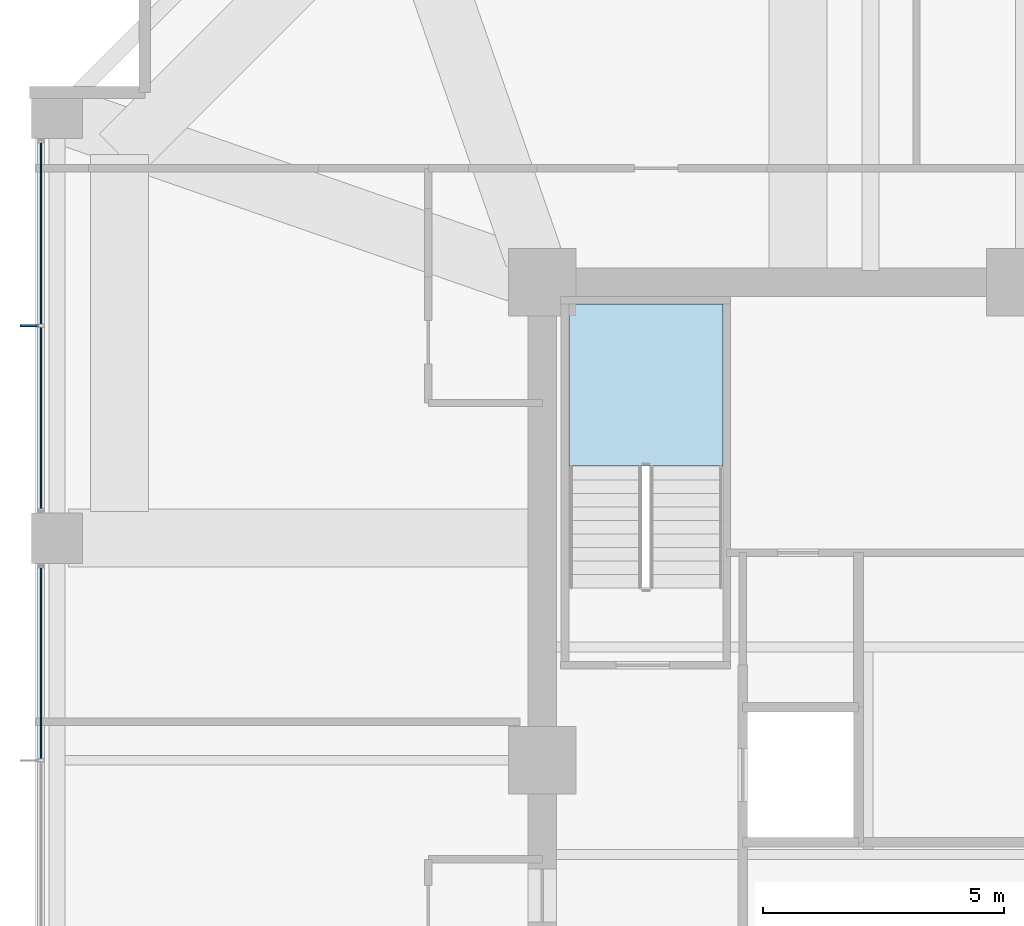
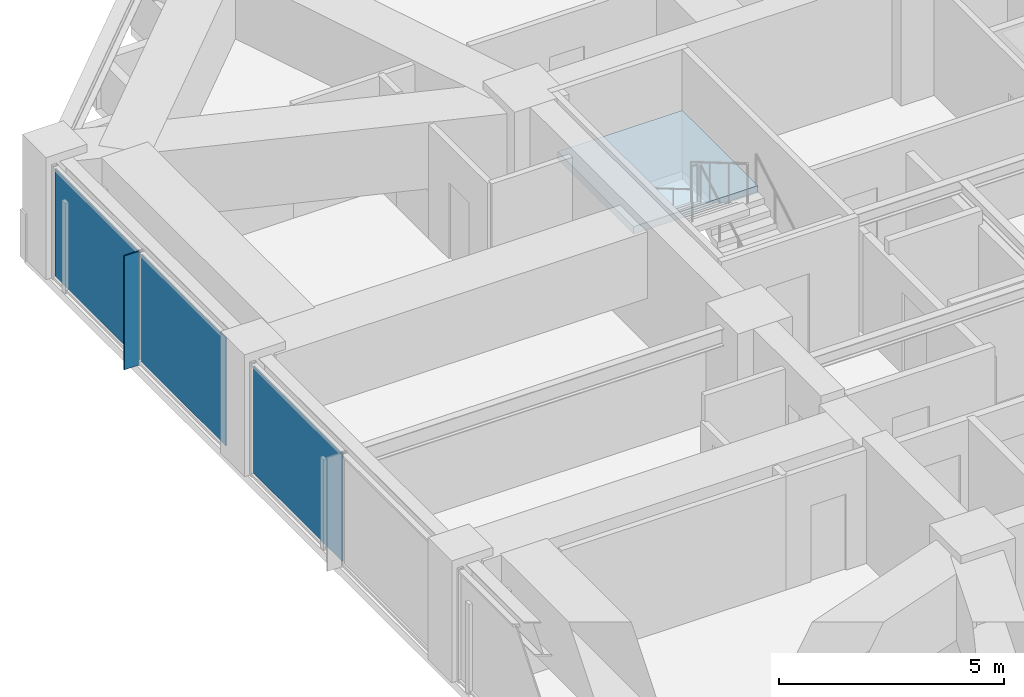
# One storey, part 26 of 34: 4 plates, 1 slab, 3 elements without a shape of their own.
"""IFC4 building model written with IfcOpenShell, lengths in metres."""

from ifc_helpers import new_model, si_unit, direction, frame, origin, origin_2d, place, context, subcontext, project, spatial, polyline, rectangle, outline, extrude, material, layer, layer_set, type_object, element, aggregate, save


model = new_model("IFC4")

# Units and contexts
model_context = context("Model", 3, precision=1e-05, world=origin(), true_north=direction((0.0, 1.0)))
body_context = subcontext(model_context, "Body", "Model", "MODEL_VIEW")
ifc_project = project(units=[si_unit("LENGTHUNIT", "METRE"), si_unit("AREAUNIT", "SQUARE_METRE"), si_unit("VOLUMEUNIT", "CUBIC_METRE"), si_unit("PLANEANGLEUNIT", "RADIAN"), si_unit("MASSUNIT", "GRAM", prefix="KILO")], contexts=[model_context])

# Site, building, storey
site_placement = place(None, origin())
site = spatial("IfcSite", under=ifc_project, at=site_placement, CompositionType="ELEMENT")
building_placement = place(site_placement, origin())
building = spatial("IfcBuilding", under=site, at=building_placement, Name="Kolvaren Belvedere", CompositionType="ELEMENT")
storey_placement = place(building_placement, frame((0.0, 0.0, 105.199951171875)))
storey = spatial("IfcBuildingStorey", under=building, at=storey_placement, Name="L30", CompositionType="ELEMENT", Elevation=105.199951171875)

# Curtain wall, plate
ifc_material_1 = material(Name="Anodised pale-metal aluminium AA 6063-T6", Category="aluminium")
curtain_wall_type = type_object("IfcCurtainWallType", Name="CW-Z2-MID", PredefinedType="NOTDEFINED", material=ifc_material_1)
curtain_wall_1_placement = place(storey_placement, origin())
curtain_wall_1 = element("IfcCurtainWall", 1, at=curtain_wall_1_placement, inside=storey, type_object=curtain_wall_type, Name="L30 Unitised Curtain Wall FCW-L30-W-B2", PredefinedType="NOTDEFINED")
ifc_material_2 = material(Name="Low-iron triple insulated glass", Category="glass")
ifc_layer_1 = layer(ifc_material_2, 0.028076171875)
ifc_layer_set_1 = layer_set([ifc_layer_1], Name="Low-iron triple insulated glass")
plate_type_1 = type_object("IfcPlateType", Name="CW-PNL-VIS28", PredefinedType="CURTAIN_PANEL", material=ifc_layer_set_1)
plate_1_placement = place(storey_placement, frame((-20.280029296875, 2.01123046875, 0.080078125), z_axis=(0.0, 0.0, 1.0), x_axis=(0.0, 1.0, 0.0)))
plate_1 = element("IfcPlate", 2, at=plate_1_placement, type_object=plate_type_1, Name="FCW-L30-W-B2 Vision Glazing Panel 2", PredefinedType="CURTAIN_PANEL", context=body_context, shape_type="SweptSolid", body=[
    extrude(rectangle(XDim=3.9423828125, YDim=0.028076171875, at=origin_2d()), origin(), (0.0, 0.0, 1.0), 2.919921875),
])
aggregate(curtain_wall_1, [plate_1])

# Curtain wall, plates
curtain_wall_2_placement = place(storey_placement, origin())
curtain_wall_2 = element("IfcCurtainWall", 3, at=curtain_wall_2_placement, inside=storey, type_object=curtain_wall_type, Name="L30 Unitised Curtain Wall FCW-L30-W-B3", PredefinedType="NOTDEFINED")
plate_2_placement = place(storey_placement, frame((-20.280029296875, 7.0888671875, 0.080078125), z_axis=(0.0, 0.0, 1.0), x_axis=(0.0, 1.0, 0.0)))
plate_2 = element("IfcPlate", 4, at=plate_2_placement, type_object=plate_type_1, Name="FCW-L30-W-B3 Vision Glazing Panel 1", PredefinedType="CURTAIN_PANEL", context=body_context, shape_type="SweptSolid", body=[
    extrude(rectangle(XDim=3.742431640625, YDim=0.028076171875, at=origin_2d()), origin(), (0.0, 0.0, 1.0), 2.919921875),
])
plate_3_placement = place(storey_placement, frame((-20.280029296875, 10.9111328125, 0.080078125), z_axis=(0.0, 0.0, 1.0), x_axis=(0.0, 1.0, 0.0)))
plate_3 = element("IfcPlate", 5, at=plate_3_placement, type_object=plate_type_1, Name="FCW-L30-W-B3 Vision Glazing Panel 2", PredefinedType="CURTAIN_PANEL", context=body_context, shape_type="SweptSolid", body=[
    extrude(rectangle(XDim=3.742431640625, YDim=0.028076171875, at=origin_2d()), origin(), (0.0, 0.0, 1.0), 2.919921875),
])
aggregate(curtain_wall_2, [plate_2, plate_3])

# Plate
ifc_material_3 = material(Name="Anodised pale-metal aluminium AA 6063-T6", Category="aluminium")
ifc_layer_2 = layer(ifc_material_3, 0.033935546875)
ifc_layer_set_2 = layer_set([ifc_layer_2], Name="Anodised pale-metal aluminium AA 6063-T6")
plate_type_2 = type_object("IfcPlateType", Name="FIN-VERT-380", PredefinedType="USERDEFINED", material=ifc_layer_set_2)
plate_4_placement = place(storey_placement, frame((-20.52490234375, 9.0, 0.0), z_axis=(0.0, 0.0, 1.0), x_axis=(1.0, 0.0, 0.0)))
element("IfcPlate", 6, at=plate_4_placement, inside=storey, type_object=plate_type_2, Name="L30 Pale-Metal Vertical Shading Fin FCW-L30-W-B3-1", ObjectType="VERTICAL FIN", PredefinedType="USERDEFINED", context=body_context, shape_type="SweptSolid", body=[
    extrude(rectangle(XDim=0.3798828125, YDim=0.033935546875, at=origin_2d()), origin(), (0.0, 0.0, 1.0), 3.080078125),
])

# Stair, slab
ifc_material_4 = material(Name="Concrete C50/60", Category="concrete")
stair_type = type_object("IfcStairType", Name="ST-CORE-1520", PredefinedType="HALF_TURN_STAIR", material=ifc_material_4)
stair_placement = place(storey_placement, origin())
stair = element("IfcStair", 7, at=stair_placement, inside=storey, type_object=stair_type, Name="L30 Protected Exit Stair ST-1", PredefinedType="HALF_TURN_STAIR")
ifc_material_5 = material(Name="Concrete C50/60", Category="concrete")
ifc_layer_3 = layer(ifc_material_5, 0.260009765625)
ifc_layer_set_3 = layer_set([ifc_layer_3], Name="Concrete C50/60")
slab_type = type_object("IfcSlabType", Name="SL-LAND-260", PredefinedType="LANDING", material=ifc_layer_set_3)
slab_placement = place(storey_placement, frame((0.0, 0.0, 1.449951171875)))
slab = element("IfcSlab", 8, at=slab_placement, type_object=slab_type, Name="ST-1 landing 1", PredefinedType="LANDING", context=body_context, shape_type="SweptSolid", body=[
    extrude(outline(polyline([(-6.159912109375, 6.090087890625), (-6.159912109375, 9.449951171875), (-9.35009765625, 9.449951171875), (-9.35009765625, 6.090087890625), (-6.159912109375, 6.090087890625)])), origin(), (0.0, 0.0, 1.0), 0.2001953125),
])
aggregate(stair, [slab])

save(model, "model.ifc")
